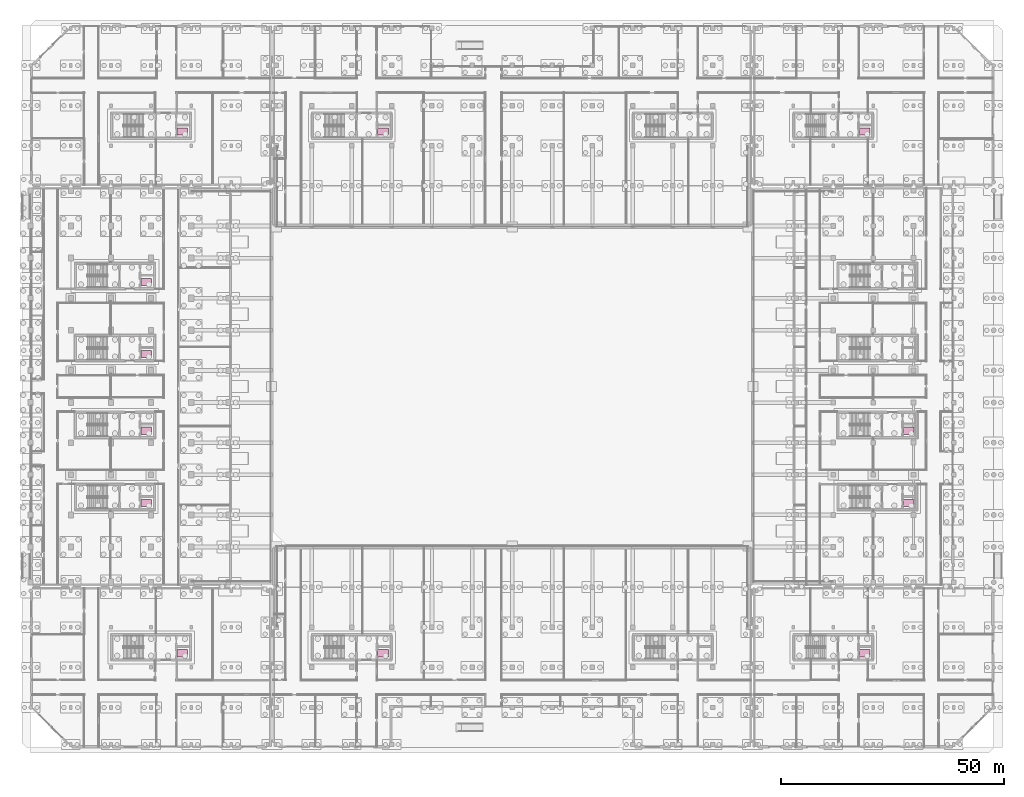
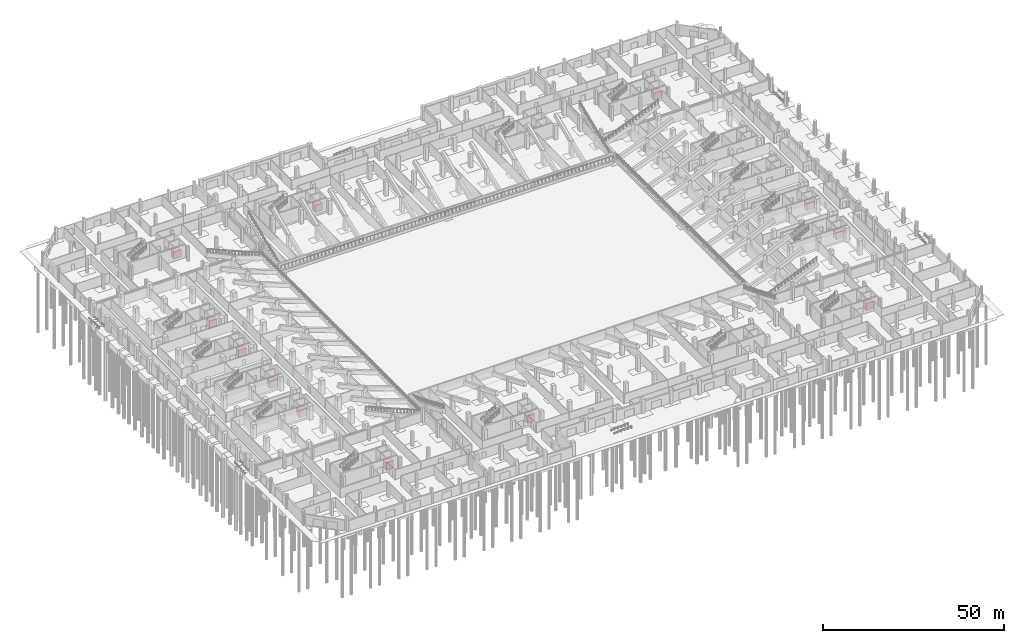
# One storey, part 53 of 53: 12 transport elements.
"""IFC4 building model written with IfcOpenShell, lengths in metres."""

from ifc_helpers import new_model, si_unit, direction, frame, origin, origin_2d, place, context, subcontext, project, spatial, rectangle, extrude, material, type_object, element, save


model = new_model("IFC4")

# Units and contexts
model_context = context("Model", 3, precision=1e-05, world=origin(), true_north=direction((0.0, 1.0)))
body_context = subcontext(model_context, "Body", "Model", "MODEL_VIEW")
ifc_project = project(units=[si_unit("LENGTHUNIT", "METRE"), si_unit("AREAUNIT", "SQUARE_METRE"), si_unit("VOLUMEUNIT", "CUBIC_METRE"), si_unit("PLANEANGLEUNIT", "RADIAN"), si_unit("MASSUNIT", "GRAM", prefix="KILO"), si_unit("THERMODYNAMICTEMPERATUREUNIT", "KELVIN"), si_unit("POWERUNIT", "WATT")], contexts=[model_context])

# Site, building, storey
site_placement = place(None, origin())
site = spatial("IfcSite", under=ifc_project, at=site_placement, CompositionType="ELEMENT")
building_placement = place(site_placement, origin())
building = spatial("IfcBuilding", under=site, at=building_placement, Name="Sindhuravela Promenade Stadium", CompositionType="ELEMENT")
storey_placement = place(building_placement, origin())
storey = spatial("IfcBuildingStorey", under=building, at=storey_placement, Name="L00", CompositionType="ELEMENT", Elevation=0.0)

# Transport elements
ifc_material = material(Name="Architectural wrought steel E350", Category="steel")
transport_element_type = type_object("IfcTransportElementType", Name="TR-LFT-1600x2400", PredefinedType="ELEVATOR", material=ifc_material)
for number, where, z_axis, x_axis, name in (
    (1, (25.89990234375, 54.875, 0.0), (0.0, 0.0, 1.0), (1.0, 0.0, 0.0), "Firefighting lift FL01"),
    (2, (25.89990234375, 71.074951171875, 0.0), (0.0, 0.0, 1.0), (1.0, 0.0, 0.0), "Firefighting lift FL02"),
    (3, (25.89990234375, 88.27490234375, 0.0), (0.0, 0.0, 1.0), (1.0, 0.0, 0.0), "Firefighting lift FL03"),
    (4, (25.89990234375, 104.47509765625, 0.0), (0.0, 0.0, 1.0), (1.0, 0.0, 0.0), "Firefighting lift FL04"),
    (5, (196.89990234375, 54.875, 0.0), (0.0, 0.0, 1.0), (1.0, 0.0, 0.0), "Passenger lift PL01"),
    (6, (196.89990234375, 71.074951171875, 0.0), (0.0, 0.0, 1.0), (1.0, 0.0, 0.0), "Passenger lift PL02"),
    (7, (79.0, 138.175048828125, 0.0), (0.0, 0.0, 1.0), (1.0, 0.0, 0.0), "Passenger lift PL03"),
    (8, (79.0, 21.175048828125, 0.0), (0.0, 0.0, 1.0), (1.0, 0.0, 0.0), "Passenger lift PL04"),
    (9, (34.0, 21.175048828125, 0.0), (0.0, 0.0, 1.0), (1.0, 0.0, 0.0), "Passenger lift PL05"),
    (10, (187.0, 21.175048828125, 0.0), (0.0, 0.0, 1.0), (1.0, 0.0, 0.0), "Passenger lift PL06"),
    (11, (34.0, 138.175048828125, 0.0), (0.0, 0.0, 1.0), (1.0, 0.0, 0.0), "Passenger lift PL07"),
    (12, (187.0, 138.175048828125, 0.0), (0.0, 0.0, 1.0), (1.0, 0.0, 0.0), "Passenger lift PL08"),
):
    element("IfcTransportElement", number, at=place(storey_placement, frame(where, z_axis=z_axis, x_axis=x_axis)), inside=storey, type_object=transport_element_type, Name=name, PredefinedType="ELEVATOR", context=body_context, shape_type="SweptSolid", body=[
        extrude(rectangle(XDim=2.39990234375, YDim=1.60009765625, at=origin_2d()), origin(), (0.0, 0.0, 1.0), 2.449951171875),
    ])

save(model, "model.ifc")
